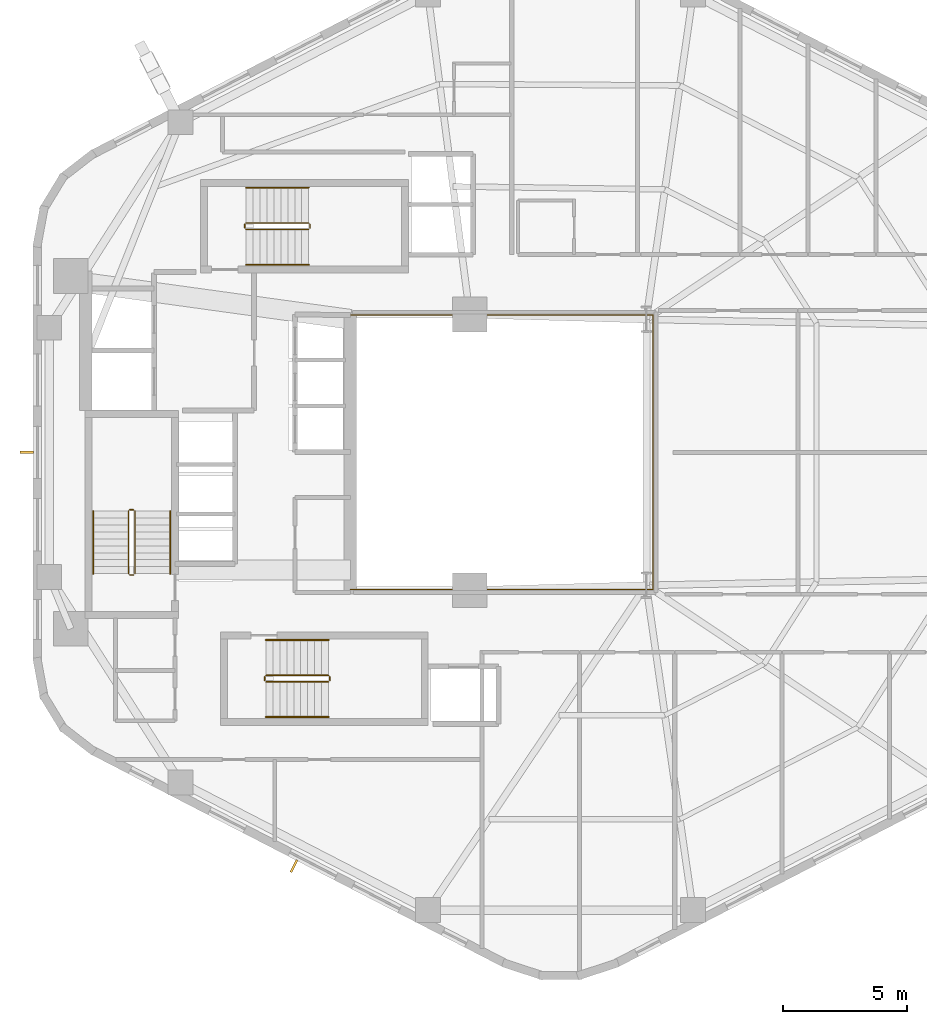
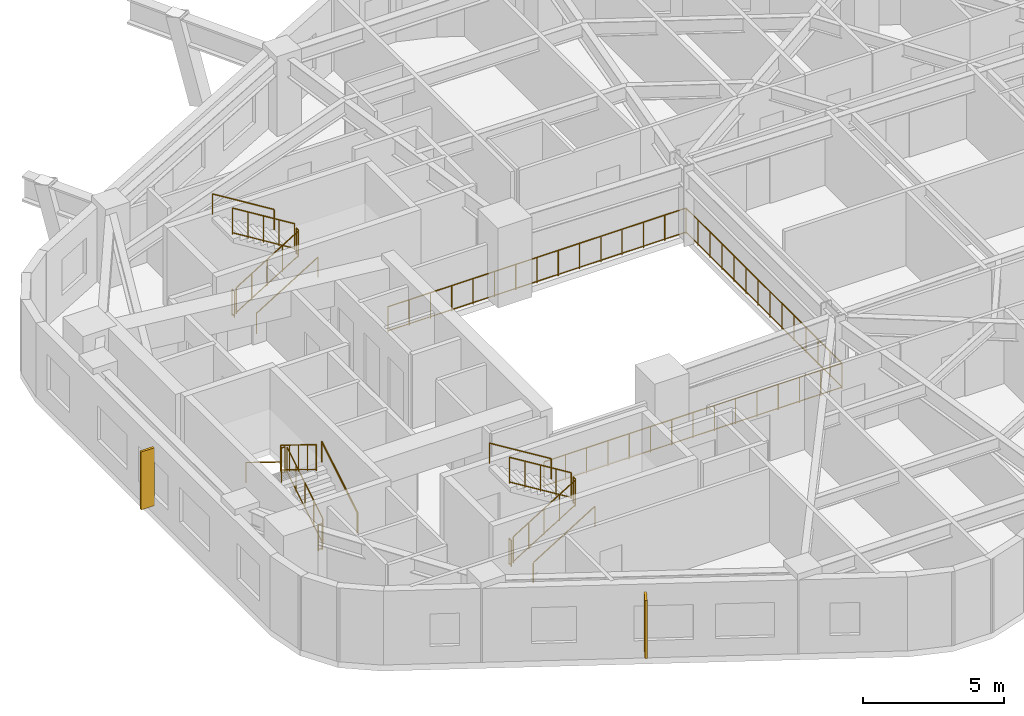
# One storey, part 7 of 8: 19 railings, 2 shading devices.
"""IFC4 building model written with IfcOpenShell, lengths in metres."""

from ifc_helpers import new_model, si_unit, direction, frame, origin, origin_2d, place, context, subcontext, project, spatial, rectangle, circle, extrude, material, type_object, element, save


model = new_model("IFC4")

# Units and contexts
model_context = context("Model", 3, precision=1e-05, world=origin(), true_north=direction((0.0, 1.0)))
body_context = subcontext(model_context, "Body", "Model", "MODEL_VIEW")
ifc_project = project(units=[si_unit("LENGTHUNIT", "METRE"), si_unit("AREAUNIT", "SQUARE_METRE"), si_unit("VOLUMEUNIT", "CUBIC_METRE"), si_unit("PLANEANGLEUNIT", "RADIAN"), si_unit("MASSUNIT", "GRAM", prefix="KILO"), si_unit("THERMODYNAMICTEMPERATUREUNIT", "KELVIN"), si_unit("POWERUNIT", "WATT")], contexts=[model_context])

# Site, building, storey
site_placement = place(None, origin())
site = spatial("IfcSite", under=ifc_project, at=site_placement, CompositionType="ELEMENT")
building_placement = place(site_placement, origin())
building = spatial("IfcBuilding", under=site, at=building_placement, Name="Skarre Station Tower", CompositionType="ELEMENT")
storey_placement = place(building_placement, frame((0.0, 0.0, 125.699951171875)))
storey = spatial("IfcBuildingStorey", under=building, at=storey_placement, Name="L33", CompositionType="ELEMENT", Elevation=125.699951171875)

# Railing
ifc_material_1 = material(Name="Bronze Anodized Steel & Laminated Glass Balustrade", Category="steel")
railing_type_1 = type_object("IfcRailingType", Name="Atrium Void & Mezzanine Guard Balustrade 1120", PredefinedType="GUARDRAIL", material=ifc_material_1)
railing_1_placement = place(storey_placement, frame((27.550048828125, 18.47998046875, 0.0)))
element("IfcRailing", 1, at=railing_1_placement, inside=storey, type_object=railing_type_1, Name="L33 Atrium Void Guard Balustrade", PredefinedType="GUARDRAIL", context=body_context, shape_type="SweptSolid", body=[
    extrude(circle(Radius=0.02392578125, at=origin_2d()), frame((0.0, 0.0, 1.09619140625), z_axis=(1.0, 0.0, 0.0), x_axis=(0.0, 1.0, 0.0)), (0.0, 0.0, 1.0), 12.169921875),
    extrude(circle(Radius=0.02099609375, at=origin_2d()), frame((0.0, 0.0, 0.06005859375), z_axis=(1.0, 0.0, 0.0), x_axis=(0.0, 1.0, 0.0)), (0.0, 0.0, 1.0), 12.169921875),
    extrude(circle(Radius=0.02392578125, at=origin_2d()), frame((12.169921875, 0.0, 1.09619140625), z_axis=(0.0, 1.0, 0.0), x_axis=(-1.0, 0.0, 0.0)), (0.0, 0.0, 1.0), 11.0400390625),
    extrude(circle(Radius=0.02099609375, at=origin_2d()), frame((12.169921875, 0.0, 0.06005859375), z_axis=(0.0, 1.0, 0.0), x_axis=(-1.0, 0.0, 0.0)), (0.0, 0.0, 1.0), 11.0400390625),
    extrude(circle(Radius=0.02392578125, at=origin_2d()), frame((12.169921875, 11.0400390625, 1.09619140625), z_axis=(-1.0, 0.0, 0.0), x_axis=(0.0, -1.0, 0.0)), (0.0, 0.0, 1.0), 12.169921875),
    extrude(circle(Radius=0.02099609375, at=origin_2d()), frame((12.169921875, 11.0400390625, 0.06005859375), z_axis=(-1.0, 0.0, 0.0), x_axis=(0.0, -1.0, 0.0)), (0.0, 0.0, 1.0), 12.169921875),
    extrude(circle(Radius=0.02099609375, at=origin_2d()), origin(), (0.0, 0.0, 1.0), 1.072021484375),
    extrude(circle(Radius=0.02099609375, at=origin_2d()), frame((0.869384765625, 0.0, 0.0)), (0.0, 0.0, 1.0), 1.072021484375),
    extrude(circle(Radius=0.02099609375, at=origin_2d()), frame((1.738525390625, 0.0, 0.0)), (0.0, 0.0, 1.0), 1.072021484375),
    extrude(circle(Radius=0.02099609375, at=origin_2d()), frame((2.60791015625, 0.0, 0.0)), (0.0, 0.0, 1.0), 1.072021484375),
    extrude(circle(Radius=0.02099609375, at=origin_2d()), frame((3.47705078125, 0.0, 0.0)), (0.0, 0.0, 1.0), 1.072021484375),
    extrude(circle(Radius=0.02099609375, at=origin_2d()), frame((4.346435546875, 0.0, 0.0)), (0.0, 0.0, 1.0), 1.072021484375),
    extrude(circle(Radius=0.02099609375, at=origin_2d()), frame((5.215576171875, 0.0, 0.0)), (0.0, 0.0, 1.0), 1.072021484375),
    extrude(circle(Radius=0.02099609375, at=origin_2d()), frame((6.0849609375, 0.0, 0.0)), (0.0, 0.0, 1.0), 1.072021484375),
    extrude(circle(Radius=0.02099609375, at=origin_2d()), frame((6.954345703125, 0.0, 0.0)), (0.0, 0.0, 1.0), 1.072021484375),
    extrude(circle(Radius=0.02099609375, at=origin_2d()), frame((7.823486328125, 0.0, 0.0)), (0.0, 0.0, 1.0), 1.072021484375),
    extrude(circle(Radius=0.02099609375, at=origin_2d()), frame((8.69287109375, 0.0, 0.0)), (0.0, 0.0, 1.0), 1.072021484375),
    extrude(circle(Radius=0.02099609375, at=origin_2d()), frame((9.56201171875, 0.0, 0.0)), (0.0, 0.0, 1.0), 1.072021484375),
    extrude(circle(Radius=0.02099609375, at=origin_2d()), frame((10.431396484375, 0.0, 0.0)), (0.0, 0.0, 1.0), 1.072021484375),
    extrude(circle(Radius=0.02099609375, at=origin_2d()), frame((11.300537109375, 0.0, 0.0)), (0.0, 0.0, 1.0), 1.072021484375),
    extrude(circle(Radius=0.02099609375, at=origin_2d()), frame((12.169921875, 0.0, 0.0)), (0.0, 0.0, 1.0), 1.072021484375),
    extrude(circle(Radius=0.02099609375, at=origin_2d()), frame((12.169921875, 0.84912109375, 0.0)), (0.0, 0.0, 1.0), 1.072021484375),
    extrude(circle(Radius=0.02099609375, at=origin_2d()), frame((12.169921875, 1.698486328125, 0.0)), (0.0, 0.0, 1.0), 1.072021484375),
    extrude(circle(Radius=0.02099609375, at=origin_2d()), frame((12.169921875, 2.547607421875, 0.0)), (0.0, 0.0, 1.0), 1.072021484375),
    extrude(circle(Radius=0.02099609375, at=origin_2d()), frame((12.169921875, 3.39697265625, 0.0)), (0.0, 0.0, 1.0), 1.072021484375),
    extrude(circle(Radius=0.02099609375, at=origin_2d()), frame((12.169921875, 4.24609375, 0.0)), (0.0, 0.0, 1.0), 1.072021484375),
    extrude(circle(Radius=0.02099609375, at=origin_2d()), frame((12.169921875, 5.095458984375, 0.0)), (0.0, 0.0, 1.0), 1.072021484375),
    extrude(circle(Radius=0.02099609375, at=origin_2d()), frame((12.169921875, 5.944580078125, 0.0)), (0.0, 0.0, 1.0), 1.072021484375),
    extrude(circle(Radius=0.02099609375, at=origin_2d()), frame((12.169921875, 6.7939453125, 0.0)), (0.0, 0.0, 1.0), 1.072021484375),
    extrude(circle(Radius=0.02099609375, at=origin_2d()), frame((12.169921875, 7.64306640625, 0.0)), (0.0, 0.0, 1.0), 1.072021484375),
    extrude(circle(Radius=0.02099609375, at=origin_2d()), frame((12.169921875, 8.492431640625, 0.0)), (0.0, 0.0, 1.0), 1.072021484375),
    extrude(circle(Radius=0.02099609375, at=origin_2d()), frame((12.169921875, 9.341552734375, 0.0)), (0.0, 0.0, 1.0), 1.072021484375),
    extrude(circle(Radius=0.02099609375, at=origin_2d()), frame((12.169921875, 10.19091796875, 0.0)), (0.0, 0.0, 1.0), 1.072021484375),
    extrude(circle(Radius=0.02099609375, at=origin_2d()), frame((12.169921875, 11.0400390625, 0.0)), (0.0, 0.0, 1.0), 1.072021484375),
    extrude(circle(Radius=0.02099609375, at=origin_2d()), frame((11.300537109375, 11.0400390625, 0.0)), (0.0, 0.0, 1.0), 1.072021484375),
    extrude(circle(Radius=0.02099609375, at=origin_2d()), frame((10.431396484375, 11.0400390625, 0.0)), (0.0, 0.0, 1.0), 1.072021484375),
    extrude(circle(Radius=0.02099609375, at=origin_2d()), frame((9.56201171875, 11.0400390625, 0.0)), (0.0, 0.0, 1.0), 1.072021484375),
    extrude(circle(Radius=0.02099609375, at=origin_2d()), frame((8.69287109375, 11.0400390625, 0.0)), (0.0, 0.0, 1.0), 1.072021484375),
    extrude(circle(Radius=0.02099609375, at=origin_2d()), frame((7.823486328125, 11.0400390625, 0.0)), (0.0, 0.0, 1.0), 1.072021484375),
    extrude(circle(Radius=0.02099609375, at=origin_2d()), frame((6.954345703125, 11.0400390625, 0.0)), (0.0, 0.0, 1.0), 1.072021484375),
    extrude(circle(Radius=0.02099609375, at=origin_2d()), frame((6.0849609375, 11.0400390625, 0.0)), (0.0, 0.0, 1.0), 1.072021484375),
    extrude(circle(Radius=0.02099609375, at=origin_2d()), frame((5.215576171875, 11.0400390625, 0.0)), (0.0, 0.0, 1.0), 1.072021484375),
    extrude(circle(Radius=0.02099609375, at=origin_2d()), frame((4.346435546875, 11.0400390625, 0.0)), (0.0, 0.0, 1.0), 1.072021484375),
    extrude(circle(Radius=0.02099609375, at=origin_2d()), frame((3.47705078125, 11.0400390625, 0.0)), (0.0, 0.0, 1.0), 1.072021484375),
    extrude(circle(Radius=0.02099609375, at=origin_2d()), frame((2.60791015625, 11.0400390625, 0.0)), (0.0, 0.0, 1.0), 1.072021484375),
    extrude(circle(Radius=0.02099609375, at=origin_2d()), frame((1.738525390625, 11.0400390625, 0.0)), (0.0, 0.0, 1.0), 1.072021484375),
    extrude(circle(Radius=0.02099609375, at=origin_2d()), frame((0.869384765625, 11.0400390625, 0.0)), (0.0, 0.0, 1.0), 1.072021484375),
    extrude(circle(Radius=0.02099609375, at=origin_2d()), frame((0.0, 11.0400390625, 0.0)), (0.0, 0.0, 1.0), 1.072021484375),
])

# Shading devices
ifc_material_2 = material(Name="Bronze Anodized Extruded Aluminium 6063-T6", Category="aluminium")
shading_device_type = type_object("IfcShadingDeviceType", Name="Nordic Bronze Vertical Solar Fin 550x90", PredefinedType="SHUTTER", material=ifc_material_2)
for number, where, z_axis, x_axis, name in (
    (2, (14.531982421875, 24.0, 0.35009765625), (0.0, 0.0, 1.0), (-1.0, 0.0, 0.0), "L33 Facet 2 Bronze Solar Fin"),
    (3, (25.27587890625, 7.35302734375, 0.35009765625), (0.0, 0.0, 1.0), (-0.458649554484, -0.888617232655, 0.0), "L33 Facet 3 Bronze Solar Fin"),
):
    element("IfcShadingDevice", number, at=place(storey_placement, frame(where, z_axis=z_axis, x_axis=x_axis)), inside=storey, type_object=shading_device_type, Name=name, PredefinedType="SHUTTER", context=body_context, shape_type="SweptSolid", body=[
        extrude(rectangle(XDim=0.550048828125, YDim=0.090087890625, at=origin_2d()), origin(), (0.0, 0.0, 1.0), 2.5),
    ])

# Railings
ifc_material_3 = material(Name="Powder-Coated Tubular Steel", Category="steel")
railing_type_2 = type_object("IfcRailingType", Name="Painted Steel Ramp & Stair Handrail 920", PredefinedType="HANDRAIL", material=ifc_material_3)
railing_2_placement = place(storey_placement, frame((20.300048828125, 19.1201171875, 0.172607421875)))
element("IfcRailing", 4, at=railing_2_placement, inside=storey, type_object=railing_type_2, Name="L33 ST-1 stair handrail 1", PredefinedType="HANDRAIL", context=body_context, shape_type="SweptSolid", body=[
    extrude(circle(Radius=0.02392578125, at=origin_2d()), frame((0.0, 0.0, 0.8759765625), z_axis=(0.0, 0.851377800117, 0.52455299205), x_axis=(-1.0, 0.0, 0.0)), (0.0, 0.0, 1.0), 2.959716796875),
    extrude(circle(Radius=0.02099609375, at=origin_2d()), origin(), (0.0, 0.0, 1.0), 0.851806640625),
    extrude(circle(Radius=0.02099609375, at=origin_2d()), frame((0.0, 2.519775390625, 1.552490234375)), (0.0, 0.0, 1.0), 0.851806640625),
])
railing_3_placement = place(storey_placement, frame((17.199951171875, 21.639892578125, 1.8974609375)))
element("IfcRailing", 5, at=railing_3_placement, inside=storey, type_object=railing_type_2, Name="L33 ST-1 stair handrail 2", PredefinedType="HANDRAIL", context=body_context, shape_type="SweptSolid", body=[
    extrude(circle(Radius=0.02392578125, at=origin_2d()), frame((0.0, 0.0, 0.8759765625), z_axis=(0.0, -0.851377800117, 0.52455299205), x_axis=(1.0, 0.0, 0.0)), (0.0, 0.0, 1.0), 2.959716796875),
    extrude(circle(Radius=0.02099609375, at=origin_2d()), origin(), (0.0, 0.0, 1.0), 0.851806640625),
    extrude(circle(Radius=0.02099609375, at=origin_2d()), frame((0.0, -2.519775390625, 1.552490234375)), (0.0, 0.0, 1.0), 0.851806640625),
])
railing_4_placement = place(storey_placement, frame((24.14990234375, 13.35009765625, 0.172607421875)))
element("IfcRailing", 6, at=railing_4_placement, inside=storey, type_object=railing_type_2, Name="L33 ST-2 stair handrail 1", PredefinedType="HANDRAIL", context=body_context, shape_type="SweptSolid", body=[
    extrude(circle(Radius=0.02392578125, at=origin_2d()), frame((0.0, 0.0, 0.8759765625), z_axis=(0.851400495292, 0.0, 0.524516154772), x_axis=(0.0, 1.0, 0.0)), (0.0, 0.0, 1.0), 2.9599609375),
    extrude(circle(Radius=0.02099609375, at=origin_2d()), origin(), (0.0, 0.0, 1.0), 0.851806640625),
    extrude(circle(Radius=0.02099609375, at=origin_2d()), frame((2.52001953125, 0.0, 1.552490234375)), (0.0, 0.0, 1.0), 0.851806640625),
])
railing_5_placement = place(storey_placement, frame((26.669921875, 16.449951171875, 1.8974609375)))
element("IfcRailing", 7, at=railing_5_placement, inside=storey, type_object=railing_type_2, Name="L33 ST-2 stair handrail 2", PredefinedType="HANDRAIL", context=body_context, shape_type="SweptSolid", body=[
    extrude(circle(Radius=0.02392578125, at=origin_2d()), frame((0.0, 0.0, 0.8759765625), z_axis=(-0.851400495292, 0.0, 0.524516154772), x_axis=(0.0, -1.0, 0.0)), (0.0, 0.0, 1.0), 2.9599609375),
    extrude(circle(Radius=0.02099609375, at=origin_2d()), origin(), (0.0, 0.0, 1.0), 0.851806640625),
    extrude(circle(Radius=0.02099609375, at=origin_2d()), frame((-2.52001953125, 0.0, 1.552490234375)), (0.0, 0.0, 1.0), 0.851806640625),
])
railing_6_placement = place(storey_placement, frame((23.35009765625, 31.550048828125, 0.172607421875)))
element("IfcRailing", 8, at=railing_6_placement, inside=storey, type_object=railing_type_2, Name="L33 ST-3 stair handrail 1", PredefinedType="HANDRAIL", context=body_context, shape_type="SweptSolid", body=[
    extrude(circle(Radius=0.02392578125, at=origin_2d()), frame((0.0, 0.0, 0.8759765625), z_axis=(0.851400495292, 0.0, 0.524516154772), x_axis=(0.0, 1.0, 0.0)), (0.0, 0.0, 1.0), 2.9599609375),
    extrude(circle(Radius=0.02099609375, at=origin_2d()), origin(), (0.0, 0.0, 1.0), 0.851806640625),
    extrude(circle(Radius=0.02099609375, at=origin_2d()), frame((2.52001953125, 0.0, 1.552490234375)), (0.0, 0.0, 1.0), 0.851806640625),
])
railing_7_placement = place(storey_placement, frame((25.8701171875, 34.64990234375, 1.8974609375)))
element("IfcRailing", 9, at=railing_7_placement, inside=storey, type_object=railing_type_2, Name="L33 ST-3 stair handrail 2", PredefinedType="HANDRAIL", context=body_context, shape_type="SweptSolid", body=[
    extrude(circle(Radius=0.02392578125, at=origin_2d()), frame((0.0, 0.0, 0.8759765625), z_axis=(-0.851400495292, 0.0, 0.524516154772), x_axis=(0.0, -1.0, 0.0)), (0.0, 0.0, 1.0), 2.9599609375),
    extrude(circle(Radius=0.02099609375, at=origin_2d()), origin(), (0.0, 0.0, 1.0), 0.851806640625),
    extrude(circle(Radius=0.02099609375, at=origin_2d()), frame((-2.52001953125, 0.0, 1.552490234375)), (0.0, 0.0, 1.0), 0.851806640625),
])
railing_type_3 = type_object("IfcRailingType", Name="Painted Steel Stairwell Guardrail 1100", PredefinedType="GUARDRAIL", material=ifc_material_3)
railing_8_placement = place(storey_placement, frame((18.8798828125, 19.1201171875, 0.172607421875)))
element("IfcRailing", 10, at=railing_8_placement, inside=storey, type_object=railing_type_3, Name="L33 ST-1 stair guard 1", PredefinedType="GUARDRAIL", context=body_context, shape_type="SweptSolid", body=[
    extrude(circle(Radius=0.02392578125, at=origin_2d()), frame((0.0, 0.0, 1.1259765625), z_axis=(0.0, 0.851377800117, 0.52455299205), x_axis=(-1.0, 0.0, 0.0)), (0.0, 0.0, 1.0), 2.959716796875),
    extrude(circle(Radius=0.02099609375, at=origin_2d()), frame((0.0, 0.0, 0.06005859375), z_axis=(0.0, 0.851377800117, 0.52455299205), x_axis=(-1.0, 0.0, 0.0)), (0.0, 0.0, 1.0), 2.959716796875),
    extrude(circle(Radius=0.02099609375, at=origin_2d()), origin(), (0.0, 0.0, 1.0), 1.101806640625),
    extrude(circle(Radius=0.02099609375, at=origin_2d()), frame((0.0, 0.6298828125, 0.38818359375)), (0.0, 0.0, 1.0), 1.101806640625),
    extrude(circle(Radius=0.02099609375, at=origin_2d()), frame((0.0, 1.259765625, 0.7763671875)), (0.0, 0.0, 1.0), 1.101806640625),
    extrude(circle(Radius=0.02099609375, at=origin_2d()), frame((0.0, 1.889892578125, 1.164306640625)), (0.0, 0.0, 1.0), 1.101806640625),
    extrude(circle(Radius=0.02099609375, at=origin_2d()), frame((0.0, 2.519775390625, 1.552490234375)), (0.0, 0.0, 1.0), 1.101806640625),
])
railing_9_placement = place(storey_placement, frame((18.830078125, 21.68994140625, 1.72509765625)))
element("IfcRailing", 11, at=railing_9_placement, inside=storey, type_object=railing_type_3, Name="L33 ST-1 stair guard 2", PredefinedType="GUARDRAIL", context=body_context, shape_type="SweptSolid", body=[
    extrude(circle(Radius=0.02392578125, at=origin_2d()), frame((0.0, 0.0, 1.1259765625), z_axis=(-1.0, 0.0, 0.0), x_axis=(0.0, -1.0, 0.0)), (0.0, 0.0, 1.0), 0.16015625),
    extrude(circle(Radius=0.02099609375, at=origin_2d()), frame((0.0, 0.0, 0.06005859375), z_axis=(-1.0, 0.0, 0.0), x_axis=(0.0, -1.0, 0.0)), (0.0, 0.0, 1.0), 0.16015625),
    extrude(circle(Radius=0.02099609375, at=origin_2d()), origin(), (0.0, 0.0, 1.0), 1.101806640625),
    extrude(circle(Radius=0.02099609375, at=origin_2d()), frame((-0.16015625, 0.0, 0.0)), (0.0, 0.0, 1.0), 1.101806640625),
])
railing_10_placement = place(storey_placement, frame((18.6201171875, 21.639892578125, 1.8974609375)))
element("IfcRailing", 12, at=railing_10_placement, inside=storey, type_object=railing_type_3, Name="L33 ST-1 stair guard 3", PredefinedType="GUARDRAIL", context=body_context, shape_type="SweptSolid", body=[
    extrude(circle(Radius=0.02392578125, at=origin_2d()), frame((0.0, 0.0, 1.1259765625), z_axis=(0.0, -0.851377800117, 0.52455299205), x_axis=(1.0, 0.0, 0.0)), (0.0, 0.0, 1.0), 2.959716796875),
    extrude(circle(Radius=0.02099609375, at=origin_2d()), frame((0.0, 0.0, 0.06005859375), z_axis=(0.0, -0.851377800117, 0.52455299205), x_axis=(1.0, 0.0, 0.0)), (0.0, 0.0, 1.0), 2.959716796875),
    extrude(circle(Radius=0.02099609375, at=origin_2d()), origin(), (0.0, 0.0, 1.0), 1.101806640625),
    extrude(circle(Radius=0.02099609375, at=origin_2d()), frame((0.0, -0.6298828125, 0.38818359375)), (0.0, 0.0, 1.0), 1.101806640625),
    extrude(circle(Radius=0.02099609375, at=origin_2d()), frame((0.0, -1.259765625, 0.7763671875)), (0.0, 0.0, 1.0), 1.101806640625),
    extrude(circle(Radius=0.02099609375, at=origin_2d()), frame((0.0, -1.889892578125, 1.164306640625)), (0.0, 0.0, 1.0), 1.101806640625),
    extrude(circle(Radius=0.02099609375, at=origin_2d()), frame((0.0, -2.519775390625, 1.552490234375)), (0.0, 0.0, 1.0), 1.101806640625),
])
railing_11_placement = place(storey_placement, frame((18.830078125, 19.070068359375, 0.0)))
element("IfcRailing", 13, at=railing_11_placement, inside=storey, type_object=railing_type_3, Name="L33 ST-1 stair guard 4", PredefinedType="GUARDRAIL", context=body_context, shape_type="SweptSolid", body=[
    extrude(circle(Radius=0.02392578125, at=origin_2d()), frame((0.0, 0.0, 1.1259765625), z_axis=(-1.0, 0.0, 0.0), x_axis=(0.0, -1.0, 0.0)), (0.0, 0.0, 1.0), 0.16015625),
    extrude(circle(Radius=0.02099609375, at=origin_2d()), frame((0.0, 0.0, 0.06005859375), z_axis=(-1.0, 0.0, 0.0), x_axis=(0.0, -1.0, 0.0)), (0.0, 0.0, 1.0), 0.16015625),
    extrude(circle(Radius=0.02099609375, at=origin_2d()), origin(), (0.0, 0.0, 1.0), 1.101806640625),
    extrude(circle(Radius=0.02099609375, at=origin_2d()), frame((-0.16015625, 0.0, 0.0)), (0.0, 0.0, 1.0), 1.101806640625),
])
railing_12_placement = place(storey_placement, frame((24.14990234375, 14.77001953125, 0.172607421875)))
element("IfcRailing", 14, at=railing_12_placement, inside=storey, type_object=railing_type_3, Name="L33 ST-2 stair guard 1", PredefinedType="GUARDRAIL", context=body_context, shape_type="SweptSolid", body=[
    extrude(circle(Radius=0.02392578125, at=origin_2d()), frame((0.0, 0.0, 1.1259765625), z_axis=(0.851400495292, 0.0, 0.524516154772), x_axis=(0.0, 1.0, 0.0)), (0.0, 0.0, 1.0), 2.9599609375),
    extrude(circle(Radius=0.02099609375, at=origin_2d()), frame((0.0, 0.0, 0.06005859375), z_axis=(0.851400495292, 0.0, 0.524516154772), x_axis=(0.0, 1.0, 0.0)), (0.0, 0.0, 1.0), 2.9599609375),
    extrude(circle(Radius=0.02099609375, at=origin_2d()), origin(), (0.0, 0.0, 1.0), 1.101806640625),
    extrude(circle(Radius=0.02099609375, at=origin_2d()), frame((0.6298828125, 0.0, 0.38818359375)), (0.0, 0.0, 1.0), 1.101806640625),
    extrude(circle(Radius=0.02099609375, at=origin_2d()), frame((1.260009765625, 0.0, 0.7763671875)), (0.0, 0.0, 1.0), 1.101806640625),
    extrude(circle(Radius=0.02099609375, at=origin_2d()), frame((1.89013671875, 0.0, 1.164306640625)), (0.0, 0.0, 1.0), 1.101806640625),
    extrude(circle(Radius=0.02099609375, at=origin_2d()), frame((2.52001953125, 0.0, 1.552490234375)), (0.0, 0.0, 1.0), 1.101806640625),
])
railing_13_placement = place(storey_placement, frame((26.719970703125, 14.820068359375, 1.72509765625)))
element("IfcRailing", 15, at=railing_13_placement, inside=storey, type_object=railing_type_3, Name="L33 ST-2 stair guard 2", PredefinedType="GUARDRAIL", context=body_context, shape_type="SweptSolid", body=[
    extrude(circle(Radius=0.02392578125, at=origin_2d()), frame((0.0, 0.0, 1.1259765625), z_axis=(0.0, 1.0, 0.0), x_axis=(-1.0, 0.0, 0.0)), (0.0, 0.0, 1.0), 0.159912109375),
    extrude(circle(Radius=0.02099609375, at=origin_2d()), frame((0.0, 0.0, 0.06005859375), z_axis=(0.0, 1.0, 0.0), x_axis=(-1.0, 0.0, 0.0)), (0.0, 0.0, 1.0), 0.159912109375),
    extrude(circle(Radius=0.02099609375, at=origin_2d()), origin(), (0.0, 0.0, 1.0), 1.101806640625),
    extrude(circle(Radius=0.02099609375, at=origin_2d()), frame((0.0, 0.159912109375, 0.0)), (0.0, 0.0, 1.0), 1.101806640625),
])
railing_14_placement = place(storey_placement, frame((26.669921875, 15.030029296875, 1.8974609375)))
element("IfcRailing", 16, at=railing_14_placement, inside=storey, type_object=railing_type_3, Name="L33 ST-2 stair guard 3", PredefinedType="GUARDRAIL", context=body_context, shape_type="SweptSolid", body=[
    extrude(circle(Radius=0.02392578125, at=origin_2d()), frame((0.0, 0.0, 1.1259765625), z_axis=(-0.851400495292, 0.0, 0.524516154772), x_axis=(0.0, -1.0, 0.0)), (0.0, 0.0, 1.0), 2.9599609375),
    extrude(circle(Radius=0.02099609375, at=origin_2d()), frame((0.0, 0.0, 0.06005859375), z_axis=(-0.851400495292, 0.0, 0.524516154772), x_axis=(0.0, -1.0, 0.0)), (0.0, 0.0, 1.0), 2.9599609375),
    extrude(circle(Radius=0.02099609375, at=origin_2d()), origin(), (0.0, 0.0, 1.0), 1.101806640625),
    extrude(circle(Radius=0.02099609375, at=origin_2d()), frame((-0.6298828125, 0.0, 0.38818359375)), (0.0, 0.0, 1.0), 1.101806640625),
    extrude(circle(Radius=0.02099609375, at=origin_2d()), frame((-1.260009765625, 0.0, 0.7763671875)), (0.0, 0.0, 1.0), 1.101806640625),
    extrude(circle(Radius=0.02099609375, at=origin_2d()), frame((-1.89013671875, 0.0, 1.164306640625)), (0.0, 0.0, 1.0), 1.101806640625),
    extrude(circle(Radius=0.02099609375, at=origin_2d()), frame((-2.52001953125, 0.0, 1.552490234375)), (0.0, 0.0, 1.0), 1.101806640625),
])
railing_15_placement = place(storey_placement, frame((24.10009765625, 14.820068359375, 0.0)))
element("IfcRailing", 17, at=railing_15_placement, inside=storey, type_object=railing_type_3, Name="L33 ST-2 stair guard 4", PredefinedType="GUARDRAIL", context=body_context, shape_type="SweptSolid", body=[
    extrude(circle(Radius=0.02392578125, at=origin_2d()), frame((0.0, 0.0, 1.1259765625), z_axis=(0.0, 1.0, 0.0), x_axis=(-1.0, 0.0, 0.0)), (0.0, 0.0, 1.0), 0.159912109375),
    extrude(circle(Radius=0.02099609375, at=origin_2d()), frame((0.0, 0.0, 0.06005859375), z_axis=(0.0, 1.0, 0.0), x_axis=(-1.0, 0.0, 0.0)), (0.0, 0.0, 1.0), 0.159912109375),
    extrude(circle(Radius=0.02099609375, at=origin_2d()), origin(), (0.0, 0.0, 1.0), 1.101806640625),
    extrude(circle(Radius=0.02099609375, at=origin_2d()), frame((0.0, 0.159912109375, 0.0)), (0.0, 0.0, 1.0), 1.101806640625),
])
railing_16_placement = place(storey_placement, frame((23.35009765625, 32.969970703125, 0.172607421875)))
element("IfcRailing", 18, at=railing_16_placement, inside=storey, type_object=railing_type_3, Name="L33 ST-3 stair guard 1", PredefinedType="GUARDRAIL", context=body_context, shape_type="SweptSolid", body=[
    extrude(circle(Radius=0.02392578125, at=origin_2d()), frame((0.0, 0.0, 1.1259765625), z_axis=(0.851400495292, 0.0, 0.524516154772), x_axis=(0.0, 1.0, 0.0)), (0.0, 0.0, 1.0), 2.9599609375),
    extrude(circle(Radius=0.02099609375, at=origin_2d()), frame((0.0, 0.0, 0.06005859375), z_axis=(0.851400495292, 0.0, 0.524516154772), x_axis=(0.0, 1.0, 0.0)), (0.0, 0.0, 1.0), 2.9599609375),
    extrude(circle(Radius=0.02099609375, at=origin_2d()), origin(), (0.0, 0.0, 1.0), 1.101806640625),
    extrude(circle(Radius=0.02099609375, at=origin_2d()), frame((0.6298828125, 0.0, 0.38818359375)), (0.0, 0.0, 1.0), 1.101806640625),
    extrude(circle(Radius=0.02099609375, at=origin_2d()), frame((1.260009765625, 0.0, 0.7763671875)), (0.0, 0.0, 1.0), 1.101806640625),
    extrude(circle(Radius=0.02099609375, at=origin_2d()), frame((1.89013671875, 0.0, 1.164306640625)), (0.0, 0.0, 1.0), 1.101806640625),
    extrude(circle(Radius=0.02099609375, at=origin_2d()), frame((2.52001953125, 0.0, 1.552490234375)), (0.0, 0.0, 1.0), 1.101806640625),
])
railing_17_placement = place(storey_placement, frame((25.919921875, 33.02001953125, 1.72509765625)))
element("IfcRailing", 19, at=railing_17_placement, inside=storey, type_object=railing_type_3, Name="L33 ST-3 stair guard 2", PredefinedType="GUARDRAIL", context=body_context, shape_type="SweptSolid", body=[
    extrude(circle(Radius=0.02392578125, at=origin_2d()), frame((0.0, 0.0, 1.1259765625), z_axis=(0.0, 1.0, 0.0), x_axis=(-1.0, 0.0, 0.0)), (0.0, 0.0, 1.0), 0.159912109375),
    extrude(circle(Radius=0.02099609375, at=origin_2d()), frame((0.0, 0.0, 0.06005859375), z_axis=(0.0, 1.0, 0.0), x_axis=(-1.0, 0.0, 0.0)), (0.0, 0.0, 1.0), 0.159912109375),
    extrude(circle(Radius=0.02099609375, at=origin_2d()), origin(), (0.0, 0.0, 1.0), 1.101806640625),
    extrude(circle(Radius=0.02099609375, at=origin_2d()), frame((0.0, 0.159912109375, 0.0)), (0.0, 0.0, 1.0), 1.101806640625),
])
railing_18_placement = place(storey_placement, frame((25.8701171875, 33.22998046875, 1.8974609375)))
element("IfcRailing", 20, at=railing_18_placement, inside=storey, type_object=railing_type_3, Name="L33 ST-3 stair guard 3", PredefinedType="GUARDRAIL", context=body_context, shape_type="SweptSolid", body=[
    extrude(circle(Radius=0.02392578125, at=origin_2d()), frame((0.0, 0.0, 1.1259765625), z_axis=(-0.851400495292, 0.0, 0.524516154772), x_axis=(0.0, -1.0, 0.0)), (0.0, 0.0, 1.0), 2.9599609375),
    extrude(circle(Radius=0.02099609375, at=origin_2d()), frame((0.0, 0.0, 0.06005859375), z_axis=(-0.851400495292, 0.0, 0.524516154772), x_axis=(0.0, -1.0, 0.0)), (0.0, 0.0, 1.0), 2.9599609375),
    extrude(circle(Radius=0.02099609375, at=origin_2d()), origin(), (0.0, 0.0, 1.0), 1.101806640625),
    extrude(circle(Radius=0.02099609375, at=origin_2d()), frame((-0.6298828125, 0.0, 0.38818359375)), (0.0, 0.0, 1.0), 1.101806640625),
    extrude(circle(Radius=0.02099609375, at=origin_2d()), frame((-1.260009765625, 0.0, 0.7763671875)), (0.0, 0.0, 1.0), 1.101806640625),
    extrude(circle(Radius=0.02099609375, at=origin_2d()), frame((-1.89013671875, 0.0, 1.164306640625)), (0.0, 0.0, 1.0), 1.101806640625),
    extrude(circle(Radius=0.02099609375, at=origin_2d()), frame((-2.52001953125, 0.0, 1.552490234375)), (0.0, 0.0, 1.0), 1.101806640625),
])
railing_19_placement = place(storey_placement, frame((23.300048828125, 33.02001953125, 0.0)))
element("IfcRailing", 21, at=railing_19_placement, inside=storey, type_object=railing_type_3, Name="L33 ST-3 stair guard 4", PredefinedType="GUARDRAIL", context=body_context, shape_type="SweptSolid", body=[
    extrude(circle(Radius=0.02392578125, at=origin_2d()), frame((0.0, 0.0, 1.1259765625), z_axis=(0.0, 1.0, 0.0), x_axis=(-1.0, 0.0, 0.0)), (0.0, 0.0, 1.0), 0.159912109375),
    extrude(circle(Radius=0.02099609375, at=origin_2d()), frame((0.0, 0.0, 0.06005859375), z_axis=(0.0, 1.0, 0.0), x_axis=(-1.0, 0.0, 0.0)), (0.0, 0.0, 1.0), 0.159912109375),
    extrude(circle(Radius=0.02099609375, at=origin_2d()), origin(), (0.0, 0.0, 1.0), 1.101806640625),
    extrude(circle(Radius=0.02099609375, at=origin_2d()), frame((0.0, 0.159912109375, 0.0)), (0.0, 0.0, 1.0), 1.101806640625),
])

save(model, "model.ifc")
